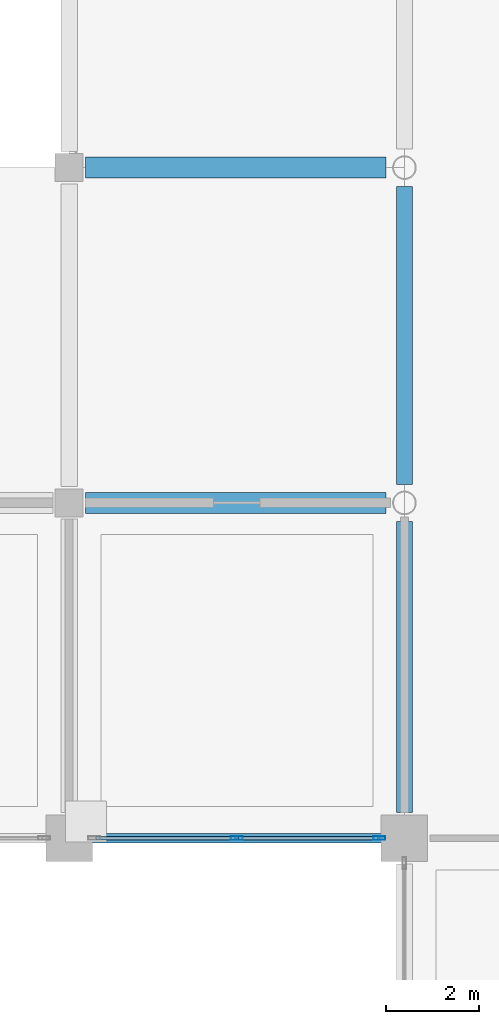
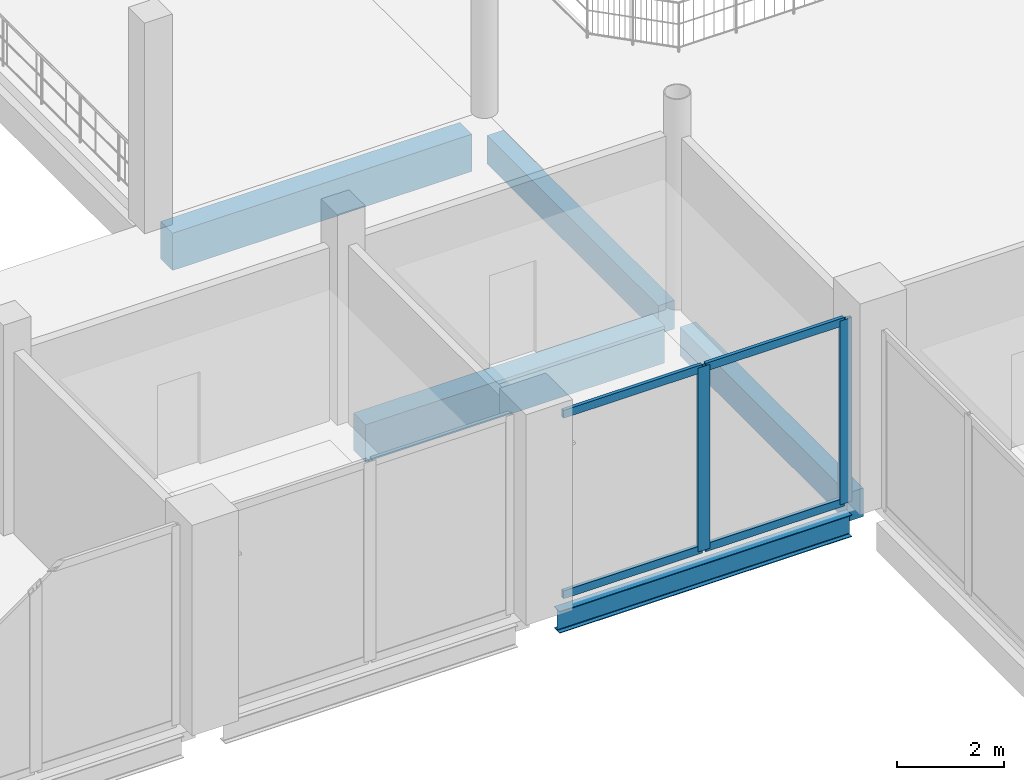
# One storey, part 18 of 99: 6 members, 5 beams, 1 element without a shape of its own.
"""IFC4 building model written with IfcOpenShell, lengths in metres."""

from ifc_helpers import new_model, si_unit, direction, frame, origin, origin_2d, place, context, subcontext, project, spatial, rectangle, hollow_rectangle, i_section, extrude, material, material_profile, profile_set, type_object, element, aggregate, save


model = new_model("IFC4")

# Units and contexts
model_context = context("Model", 3, precision=1e-05, world=origin(), true_north=direction((0.0, 1.0)))
body_context = subcontext(model_context, "Body", "Model", "MODEL_VIEW")
ifc_project = project(units=[si_unit("LENGTHUNIT", "METRE"), si_unit("AREAUNIT", "SQUARE_METRE"), si_unit("VOLUMEUNIT", "CUBIC_METRE"), si_unit("PLANEANGLEUNIT", "RADIAN"), si_unit("MASSUNIT", "GRAM", prefix="KILO")], contexts=[model_context])

# Site, building, storey
site_placement = place(None, origin())
site = spatial("IfcSite", under=ifc_project, at=site_placement, CompositionType="ELEMENT")
building_placement = place(site_placement, origin())
building = spatial("IfcBuilding", under=site, at=building_placement, Name="Vesperath Aquatics Centre", CompositionType="ELEMENT")
storey_placement = place(building_placement, frame((0.0, 0.0, 5.39990234375)))
storey = spatial("IfcBuildingStorey", under=building, at=storey_placement, Name="L01", CompositionType="ELEMENT", Elevation=5.39990234375)

# Beams
ifc_material_1 = material(Name="Concrete C35", Category="concrete")
ifc_material_profile_1 = material_profile(ifc_material_1, rectangle(XDim=0.449951171875, YDim=0.85009765625, at=origin_2d()), Name="RC 450x850")
ifc_profile_set_1 = profile_set([ifc_material_profile_1], Name="Concrete C35")
beam_type_1 = type_object("IfcBeamType", Name="BM-G03", PredefinedType="BEAM", material=ifc_profile_set_1)
for number, where, z_axis, x_axis, name in (
    (1, (93.949951171875, 21.60009765625, -0.684814453125), (1.0, 0.0, 0.0), (0.0, 1.0, 0.0), "Floor Girder B03 L01 D 14-15"),
    (2, (93.949951171875, 28.800048828125, -0.684814453125), (1.0, 0.0, 0.0), (0.0, 1.0, 0.0), "Floor Girder B03 L01 E 14-15"),
):
    element("IfcBeam", number, at=place(storey_placement, frame(where, z_axis=z_axis, x_axis=x_axis)), inside=storey, type_object=beam_type_1, Name=name, PredefinedType="BEAM", context=body_context, shape_type="SweptSolid", body=[
        extrude(rectangle(XDim=0.449951171875, YDim=0.85009765625, at=origin_2d()), origin(), (0.0, 0.0, 1.0), 6.449951171875),
    ])
ifc_material_profile_2 = material_profile(ifc_material_1, rectangle(XDim=0.35009765625, YDim=0.64990234375, at=origin_2d()), Name="RC 350x650")
ifc_profile_set_2 = profile_set([ifc_material_profile_2], Name="Concrete C35")
beam_type_2 = type_object("IfcBeamType", Name="BM-G05", PredefinedType="BEAM", material=ifc_profile_set_2)
beam_1_placement = place(storey_placement, frame((100.800048828125, 14.949951171875, -0.5849609375), z_axis=(0.0, 1.0, 0.0), x_axis=(-1.0, 0.0, 0.0)))
element("IfcBeam", 3, at=beam_1_placement, inside=storey, type_object=beam_type_2, Name="Floor Girder B05 L01 15 C-D", PredefinedType="BEAM", context=body_context, shape_type="SweptSolid", body=[
    extrude(rectangle(XDim=0.35009765625, YDim=0.64990234375, at=origin_2d()), origin(), (0.0, 0.0, 1.0), 6.25),
])
beam_2_placement = place(storey_placement, frame((100.800048828125, 22.0, -0.5849609375), z_axis=(0.0, 1.0, 0.0), x_axis=(-1.0, 0.0, 0.0)))
element("IfcBeam", 4, at=beam_2_placement, inside=storey, type_object=beam_type_2, Name="Floor Girder B05 L01 15 D-E", PredefinedType="BEAM", context=body_context, shape_type="SweptSolid", body=[
    extrude(rectangle(XDim=0.35009765625, YDim=0.64990234375, at=origin_2d()), origin(), (0.0, 0.0, 1.0), 6.39990234375),
])
ifc_material_2 = material(Name="Steel Q355D", Category="steel")
ifc_material_profile_3 = material_profile(ifc_material_2, i_section(OverallWidth=0.199951171875, OverallDepth=0.5, WebThickness=0.010009765625, FlangeThickness=0.01611328125, FilletRadius=0.02001953125, at=origin_2d()), Name="HN 500x200x10x16")
ifc_profile_set_3 = profile_set([ifc_material_profile_3], Name="Steel Q355D")
beam_type_3 = type_object("IfcBeamType", Name="BM-SP01", PredefinedType="SPANDREL", material=ifc_profile_set_3)
beam_3_placement = place(storey_placement, frame((94.050048828125, 14.39990234375, -0.510009765625), z_axis=(1.0, 0.0, 0.0), x_axis=(0.0, 1.0, 0.0)))
element("IfcBeam", 5, at=beam_3_placement, inside=storey, type_object=beam_type_3, Name="Floor Girder SP01 L01 C 14-15", PredefinedType="SPANDREL", context=body_context, shape_type="SweptSolid", body=[
    extrude(i_section(OverallWidth=0.199951171875, OverallDepth=0.5, WebThickness=0.010009765625, FlangeThickness=0.01611328125, FilletRadius=0.02001953125, at=origin_2d()), origin(), (0.0, 0.0, 1.0), 6.300048828125),
])

# Curtain wall, members
ifc_material_3 = material(Name="Thermally broken anodised bronze aluminium curtain wall", Category="aluminium")
curtain_wall_type = type_object("IfcCurtainWallType", Name="CW-02", PredefinedType="NOTDEFINED", material=ifc_material_3)
curtain_wall_placement = place(storey_placement, origin())
curtain_wall = element("IfcCurtainWall", 6, at=curtain_wall_placement, inside=storey, type_object=curtain_wall_type, Name="Facade Curtain Wall CW02 L01_S_13_02", PredefinedType="NOTDEFINED")
ifc_material_4 = material(Name="Thermally broken anodised aluminium", Category="aluminium")
ifc_material_profile_4 = material_profile(ifc_material_4, hollow_rectangle(XDim=0.074951171875, YDim=0.260009765625, WallThickness=0.006103515625, at=origin_2d()), Name="CWM 75x260x6")
ifc_profile_set_4 = profile_set([ifc_material_profile_4], Name="Thermally broken anodised aluminium")
member_type_1 = type_object("IfcMemberType", Name="MB-CWM1", PredefinedType="MULLION", material=ifc_profile_set_4)
member_1_placement = place(storey_placement, frame((97.199951171875, 14.39990234375, 0.0), z_axis=(0.0, 0.0, 1.0), x_axis=(0.0, 1.0, 0.0)))
member_1 = element("IfcMember", 7, at=member_1_placement, type_object=member_type_1, Name="CW02 mullion 2", PredefinedType="MULLION", context=body_context, shape_type="SweptSolid", body=[
    extrude(hollow_rectangle(XDim=0.074951171875, YDim=0.260009765625, WallThickness=0.006103515625, at=origin_2d()), origin(), (0.0, 0.0, 1.0), 4.190185546875),
])
member_2_placement = place(storey_placement, frame((100.262451171875, 14.39990234375, 0.0), z_axis=(0.0, 0.0, 1.0), x_axis=(0.0, 1.0, 0.0)))
member_2 = element("IfcMember", 8, at=member_2_placement, type_object=member_type_1, Name="CW02 mullion 3", PredefinedType="MULLION", context=body_context, shape_type="SweptSolid", body=[
    extrude(hollow_rectangle(XDim=0.074951171875, YDim=0.260009765625, WallThickness=0.006103515625, at=origin_2d()), origin(), (0.0, 0.0, 1.0), 4.190185546875),
])
ifc_material_profile_5 = material_profile(ifc_material_4, hollow_rectangle(XDim=0.074951171875, YDim=0.179931640625, WallThickness=0.0048828125, at=origin_2d()), Name="CWT 75x180x5")
ifc_profile_set_5 = profile_set([ifc_material_profile_5], Name="Thermally broken anodised aluminium")
member_type_2 = type_object("IfcMemberType", Name="MB-CWT1", PredefinedType="USERDEFINED", material=ifc_profile_set_5)
member_3_placement = place(storey_placement, frame((94.175048828125, 14.39990234375, 0.03759765625), z_axis=(1.0, 0.0, 0.0), x_axis=(0.0, 1.0, 0.0)))
member_3 = element("IfcMember", 9, at=member_3_placement, type_object=member_type_2, Name="CW02 transom 1.1", ObjectType="TRANSOM", PredefinedType="USERDEFINED", context=body_context, shape_type="SweptSolid", body=[
    extrude(hollow_rectangle(XDim=0.074951171875, YDim=0.179931640625, WallThickness=0.0048828125, at=origin_2d()), origin(), (0.0, 0.0, 1.0), 2.987548828125),
])
member_4_placement = place(storey_placement, frame((94.175048828125, 14.39990234375, 4.152587890625), z_axis=(1.0, 0.0, 0.0), x_axis=(0.0, 1.0, 0.0)))
member_4 = element("IfcMember", 10, at=member_4_placement, type_object=member_type_2, Name="CW02 transom 1.2", ObjectType="TRANSOM", PredefinedType="USERDEFINED", context=body_context, shape_type="SweptSolid", body=[
    extrude(hollow_rectangle(XDim=0.074951171875, YDim=0.179931640625, WallThickness=0.0048828125, at=origin_2d()), origin(), (0.0, 0.0, 1.0), 2.987548828125),
])
member_5_placement = place(storey_placement, frame((97.237548828125, 14.39990234375, 0.03759765625), z_axis=(1.0, 0.0, 0.0), x_axis=(0.0, 1.0, 0.0)))
member_5 = element("IfcMember", 11, at=member_5_placement, type_object=member_type_2, Name="CW02 transom 2.1", ObjectType="TRANSOM", PredefinedType="USERDEFINED", context=body_context, shape_type="SweptSolid", body=[
    extrude(hollow_rectangle(XDim=0.074951171875, YDim=0.179931640625, WallThickness=0.0048828125, at=origin_2d()), origin(), (0.0, 0.0, 1.0), 2.987548828125),
])
member_6_placement = place(storey_placement, frame((97.237548828125, 14.39990234375, 4.152587890625), z_axis=(1.0, 0.0, 0.0), x_axis=(0.0, 1.0, 0.0)))
member_6 = element("IfcMember", 12, at=member_6_placement, type_object=member_type_2, Name="CW02 transom 2.2", ObjectType="TRANSOM", PredefinedType="USERDEFINED", context=body_context, shape_type="SweptSolid", body=[
    extrude(hollow_rectangle(XDim=0.074951171875, YDim=0.179931640625, WallThickness=0.0048828125, at=origin_2d()), origin(), (0.0, 0.0, 1.0), 2.987548828125),
])
aggregate(curtain_wall, [member_1, member_2, member_3, member_4, member_5, member_6])

save(model, "model.ifc")
